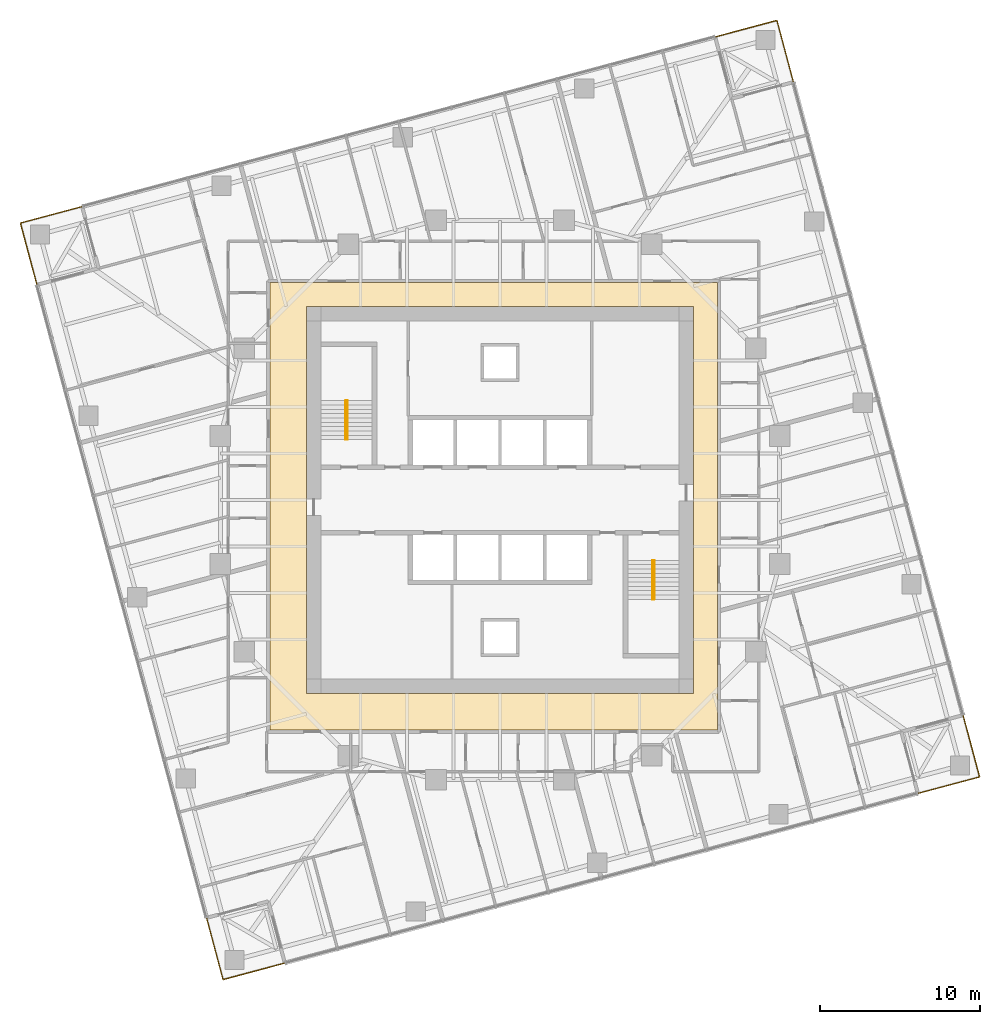
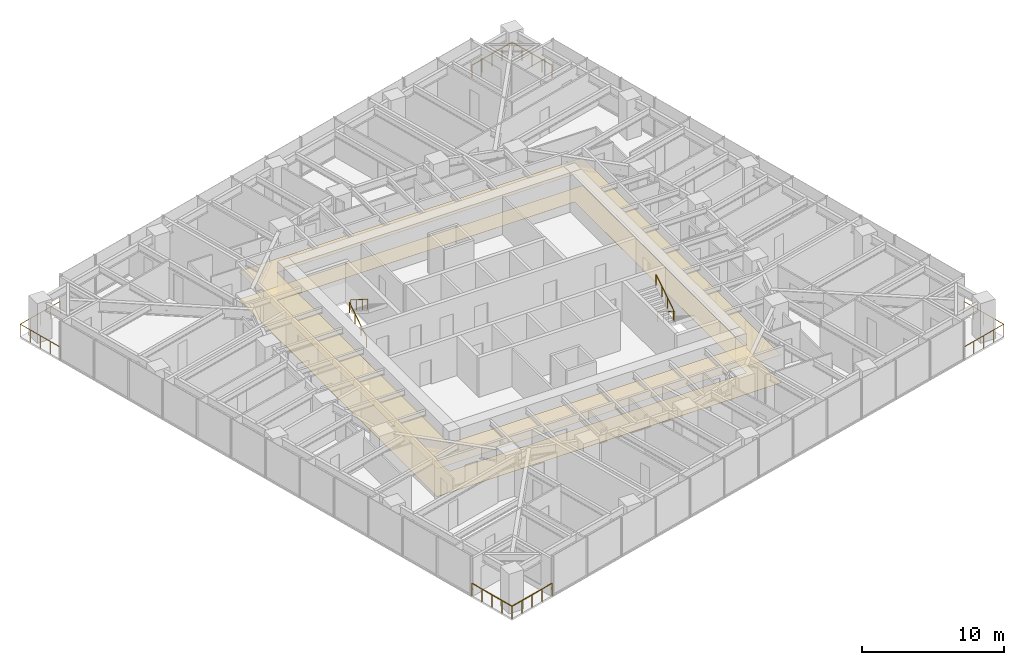
# One storey, part 14 of 14: 8 railings, 2 coverings, 2 elements without a shape of their own.
"""IFC4 building model written with IfcOpenShell, lengths in metres."""

from ifc_helpers import new_model, si_unit, direction, frame, origin, origin_2d, place, context, subcontext, project, spatial, polyline, circle, outline, extrude, material, layer, layer_set, type_object, element, aggregate, save


model = new_model("IFC4")

# Units and contexts
model_context = context("Model", 3, precision=1e-05, world=origin(), true_north=direction((0.0, 1.0)))
body_context = subcontext(model_context, "Body", "Model", "MODEL_VIEW")
ifc_project = project(units=[si_unit("LENGTHUNIT", "METRE"), si_unit("AREAUNIT", "SQUARE_METRE"), si_unit("VOLUMEUNIT", "CUBIC_METRE"), si_unit("PLANEANGLEUNIT", "RADIAN"), si_unit("MASSUNIT", "GRAM", prefix="KILO")], contexts=[model_context])

# Site, building, storey
site_placement = place(None, origin())
site = spatial("IfcSite", under=ifc_project, at=site_placement, CompositionType="ELEMENT")
building_placement = place(site_placement, origin())
building = spatial("IfcBuilding", under=site, at=building_placement, Name="Torsade Residences", CompositionType="ELEMENT")
storey_placement = place(building_placement, frame((0.0, 0.0, 121.800048828125)))
storey = spatial("IfcBuildingStorey", under=building, at=storey_placement, Name="L33", CompositionType="ELEMENT", Elevation=121.800048828125)

# Coverings
ifc_material_1 = material(Name="Nylon carpet tile on underlay", Category="textile")
ifc_layer_1 = layer(ifc_material_1, 0.010009765625)
ifc_layer_set_1 = layer_set([ifc_layer_1], Name="Nylon carpet tile on underlay")
covering_type_1 = type_object("IfcCoveringType", Name="CORRIDOR CARPET TILE 10", PredefinedType="FLOORING", material=ifc_layer_set_1)
covering_1_placement = place(storey_placement, origin())
element("IfcCovering", 1, at=covering_1_placement, inside=storey, type_object=covering_type_1, Name="Corridor carpet L33", PredefinedType="FLOORING", context=body_context, shape_type="SweptSolid", body=[
    extrude(outline(polyline([(53.60009765625, 15.60009765625), (53.60009765625, 43.60009765625), (25.60009765625, 43.60009765625), (25.60009765625, 15.60009765625), (53.60009765625, 15.60009765625)]), holes=[polyline([(52.10009765625, 42.10009765625), (27.89990234375, 42.10009765625), (27.89990234375, 17.89990234375), (52.10009765625, 17.89990234375), (52.10009765625, 42.10009765625)])]), origin(), (0.0, 0.0, 1.0), 0.010009765625),
])
ifc_material_2 = material(Name="Plasterboard on suspended steel grid", Category="steel")
ifc_layer_2 = layer(ifc_material_2, 0.012939453125)
ifc_layer_set_2 = layer_set([ifc_layer_2], Name="Plasterboard on suspended steel grid")
covering_type_2 = type_object("IfcCoveringType", Name="CORRIDOR SUSPENDED CEILING 13", PredefinedType="CEILING", material=ifc_layer_set_2)
covering_2_placement = place(storey_placement, frame((0.0, 0.0, 2.39990234375)))
element("IfcCovering", 2, at=covering_2_placement, inside=storey, type_object=covering_type_2, Name="Corridor ceiling L33", PredefinedType="CEILING", context=body_context, shape_type="SweptSolid", body=[
    extrude(outline(polyline([(53.60009765625, 15.60009765625), (53.60009765625, 43.60009765625), (25.60009765625, 43.60009765625), (25.60009765625, 15.60009765625), (53.60009765625, 15.60009765625)]), holes=[polyline([(52.10009765625, 42.10009765625), (27.89990234375, 42.10009765625), (27.89990234375, 17.89990234375), (52.10009765625, 17.89990234375), (52.10009765625, 42.10009765625)])]), origin(), (0.0, 0.0, 1.0), 0.012939453125),
])

# Stair, railings
ifc_material_3 = material(Name="Precast concrete 40 MPa", Category="concrete")
stair_type = type_object("IfcStairType", Name="HALF-TURN FIRE STAIR 1500x3400", PredefinedType="HALF_TURN_STAIR", material=ifc_material_3)
stair_1_placement = place(storey_placement, origin())
stair_1 = element("IfcStair", 3, at=stair_1_placement, inside=storey, type_object=stair_type, Name="Stair ST1 L33", PredefinedType="HALF_TURN_STAIR")
ifc_material_4 = material(Name="Steel handrail", Category="steel")
railing_type_1 = type_object("IfcRailingType", Name="STAIR HANDRAIL 900", PredefinedType="HANDRAIL", material=ifc_material_4)
railing_1_placement = place(storey_placement, frame((30.35009765625, 33.780029296875, 0.169921875)))
railing_1 = element("IfcRailing", 4, at=railing_1_placement, type_object=railing_type_1, Name="Handrail ST1 flight 1 L33", PredefinedType="HANDRAIL", context=body_context, shape_type="SweptSolid", body=[
    extrude(circle(Radius=0.02392578125, at=origin_2d()), frame((0.0, 0.0, 0.8759765625), z_axis=(0.0, 0.846221481393, 0.532831309544), x_axis=(-1.0, 0.0, 0.0)), (0.0, 0.0, 1.0), 2.87158203125),
    extrude(circle(Radius=0.02099609375, at=origin_2d()), origin(), (0.0, 0.0, 1.0), 0.851806640625),
    extrude(circle(Radius=0.02099609375, at=origin_2d()), frame((0.0, 0.81005859375, 0.510009765625)), (0.0, 0.0, 1.0), 0.851806640625),
    extrude(circle(Radius=0.02099609375, at=origin_2d()), frame((0.0, 1.619873046875, 1.02001953125)), (0.0, 0.0, 1.0), 0.851806640625),
    extrude(circle(Radius=0.02099609375, at=origin_2d()), frame((0.0, 2.429931640625, 1.530029296875)), (0.0, 0.0, 1.0), 0.851806640625),
])
railing_2_placement = place(storey_placement, frame((30.449951171875, 36.2099609375, 1.869873046875)))
railing_2 = element("IfcRailing", 5, at=railing_2_placement, type_object=railing_type_1, Name="Handrail ST1 flight 2 L33", PredefinedType="HANDRAIL", context=body_context, shape_type="SweptSolid", body=[
    extrude(circle(Radius=0.02392578125, at=origin_2d()), frame((0.0, 0.0, 0.8759765625), z_axis=(0.0, -0.846221481393, 0.532831309544), x_axis=(1.0, 0.0, 0.0)), (0.0, 0.0, 1.0), 2.87158203125),
    extrude(circle(Radius=0.02099609375, at=origin_2d()), origin(), (0.0, 0.0, 1.0), 0.851806640625),
    extrude(circle(Radius=0.02099609375, at=origin_2d()), frame((0.0, -0.81005859375, 0.510009765625)), (0.0, 0.0, 1.0), 0.851806640625),
    extrude(circle(Radius=0.02099609375, at=origin_2d()), frame((0.0, -1.619873046875, 1.02001953125)), (0.0, 0.0, 1.0), 0.851806640625),
    extrude(circle(Radius=0.02099609375, at=origin_2d()), frame((0.0, -2.429931640625, 1.530029296875)), (0.0, 0.0, 1.0), 0.851806640625),
])
aggregate(stair_1, [railing_1, railing_2])

stair_2_placement = place(storey_placement, origin())
stair_2 = element("IfcStair", 6, at=stair_2_placement, inside=storey, type_object=stair_type, Name="Stair ST2 L33", PredefinedType="HALF_TURN_STAIR")
railing_3_placement = place(storey_placement, frame((49.64990234375, 26.219970703125, 0.169921875)))
railing_3 = element("IfcRailing", 7, at=railing_3_placement, type_object=railing_type_1, Name="Handrail ST2 flight 1 L33", PredefinedType="HANDRAIL", context=body_context, shape_type="SweptSolid", body=[
    extrude(circle(Radius=0.02392578125, at=origin_2d()), frame((0.0, 0.0, 0.8759765625), z_axis=(0.0, -0.846221481393, 0.532831309544), x_axis=(1.0, 0.0, 0.0)), (0.0, 0.0, 1.0), 2.87158203125),
    extrude(circle(Radius=0.02099609375, at=origin_2d()), origin(), (0.0, 0.0, 1.0), 0.851806640625),
    extrude(circle(Radius=0.02099609375, at=origin_2d()), frame((0.0, -0.81005859375, 0.510009765625)), (0.0, 0.0, 1.0), 0.851806640625),
    extrude(circle(Radius=0.02099609375, at=origin_2d()), frame((0.0, -1.619873046875, 1.02001953125)), (0.0, 0.0, 1.0), 0.851806640625),
    extrude(circle(Radius=0.02099609375, at=origin_2d()), frame((0.0, -2.429931640625, 1.530029296875)), (0.0, 0.0, 1.0), 0.851806640625),
])
railing_4_placement = place(storey_placement, frame((49.550048828125, 23.7900390625, 1.869873046875)))
railing_4 = element("IfcRailing", 8, at=railing_4_placement, type_object=railing_type_1, Name="Handrail ST2 flight 2 L33", PredefinedType="HANDRAIL", context=body_context, shape_type="SweptSolid", body=[
    extrude(circle(Radius=0.02392578125, at=origin_2d()), frame((0.0, 0.0, 0.8759765625), z_axis=(0.0, 0.846221481393, 0.532831309544), x_axis=(-1.0, 0.0, 0.0)), (0.0, 0.0, 1.0), 2.87158203125),
    extrude(circle(Radius=0.02099609375, at=origin_2d()), origin(), (0.0, 0.0, 1.0), 0.851806640625),
    extrude(circle(Radius=0.02099609375, at=origin_2d()), frame((0.0, 0.81005859375, 0.510009765625)), (0.0, 0.0, 1.0), 0.851806640625),
    extrude(circle(Radius=0.02099609375, at=origin_2d()), frame((0.0, 1.619873046875, 1.02001953125)), (0.0, 0.0, 1.0), 0.851806640625),
    extrude(circle(Radius=0.02099609375, at=origin_2d()), frame((0.0, 2.429931640625, 1.530029296875)), (0.0, 0.0, 1.0), 0.851806640625),
])
aggregate(stair_2, [railing_3, railing_4])

# Railings
ifc_material_5 = material(Name="Laminated glass balustrade", Category="glass")
railing_type_2 = type_object("IfcRailingType", Name="TERRACE GLASS BALUSTRADE 1100", PredefinedType="BALUSTRADE", material=ifc_material_5)
railing_5_placement = place(storey_placement, frame((66.142578125, 11.640625, 0.0)))
element("IfcRailing", 9, at=railing_5_placement, inside=storey, type_object=railing_type_2, Name="Terrace balustrade SE L33", PredefinedType="BALUSTRADE", context=body_context, shape_type="SweptSolid", body=[
    extrude(circle(Radius=0.02392578125, at=origin_2d()), frame((0.0, 0.0, 1.076171875), z_axis=(0.965934430412, 0.258786931944, 0.0), x_axis=(-0.258786931944, 0.965934430412, 0.0)), (0.0, 0.0, 1.0), 4.0),
    extrude(circle(Radius=0.02392578125, at=origin_2d()), frame((3.86376953125, 1.03515625, 1.076171875), z_axis=(-0.258843877716, 0.965919172068, 0.0), x_axis=(-0.965919172068, -0.258843877716, 0.0)), (0.0, 0.0, 1.0), 4.0),
    extrude(circle(Radius=0.02099609375, at=origin_2d()), origin(), (0.0, 0.0, 1.0), 1.052001953125),
    extrude(circle(Radius=0.02099609375, at=origin_2d()), frame((0.9658203125, 0.2587890625, 0.0)), (0.0, 0.0, 1.0), 1.052001953125),
    extrude(circle(Radius=0.02099609375, at=origin_2d()), frame((1.931884765625, 0.517578125, 0.0)), (0.0, 0.0, 1.0), 1.052001953125),
    extrude(circle(Radius=0.02099609375, at=origin_2d()), frame((2.89794921875, 0.7763671875, 0.0)), (0.0, 0.0, 1.0), 1.052001953125),
    extrude(circle(Radius=0.02099609375, at=origin_2d()), frame((3.86376953125, 1.03515625, 0.0)), (0.0, 0.0, 1.0), 1.052001953125),
    extrude(circle(Radius=0.02099609375, at=origin_2d()), frame((3.60498046875, 2.0009765625, 0.0)), (0.0, 0.0, 1.0), 1.052001953125),
    extrude(circle(Radius=0.02099609375, at=origin_2d()), frame((3.34619140625, 2.967041015625, 0.0)), (0.0, 0.0, 1.0), 1.052001953125),
    extrude(circle(Radius=0.02099609375, at=origin_2d()), frame((3.087158203125, 3.93310546875, 0.0)), (0.0, 0.0, 1.0), 1.052001953125),
    extrude(circle(Radius=0.02099609375, at=origin_2d()), frame((2.828369140625, 4.89892578125, 0.0)), (0.0, 0.0, 1.0), 1.052001953125),
])
railing_6_placement = place(storey_placement, frame((58.359375, 56.142578125, 0.0)))
element("IfcRailing", 10, at=railing_6_placement, inside=storey, type_object=railing_type_2, Name="Terrace balustrade NE L33", PredefinedType="BALUSTRADE", context=body_context, shape_type="SweptSolid", body=[
    extrude(circle(Radius=0.02392578125, at=origin_2d()), frame((0.0, 0.0, 1.076171875), z_axis=(-0.258786931944, 0.965934430412, 0.0), x_axis=(-0.965934430412, -0.258786931944, 0.0)), (0.0, 0.0, 1.0), 4.0),
    extrude(circle(Radius=0.02392578125, at=origin_2d()), frame((-1.03515625, 3.86376953125, 1.076171875), z_axis=(-0.965919172068, -0.258843877716, 0.0), x_axis=(0.258843877716, -0.965919172068, 0.0)), (0.0, 0.0, 1.0), 4.0),
    extrude(circle(Radius=0.02099609375, at=origin_2d()), origin(), (0.0, 0.0, 1.0), 1.052001953125),
    extrude(circle(Radius=0.02099609375, at=origin_2d()), frame((-0.2587890625, 0.9658203125, 0.0)), (0.0, 0.0, 1.0), 1.052001953125),
    extrude(circle(Radius=0.02099609375, at=origin_2d()), frame((-0.517578125, 1.931884765625, 0.0)), (0.0, 0.0, 1.0), 1.052001953125),
    extrude(circle(Radius=0.02099609375, at=origin_2d()), frame((-0.7763671875, 2.89794921875, 0.0)), (0.0, 0.0, 1.0), 1.052001953125),
    extrude(circle(Radius=0.02099609375, at=origin_2d()), frame((-1.03515625, 3.86376953125, 0.0)), (0.0, 0.0, 1.0), 1.052001953125),
    extrude(circle(Radius=0.02099609375, at=origin_2d()), frame((-2.0009765625, 3.60498046875, 0.0)), (0.0, 0.0, 1.0), 1.052001953125),
    extrude(circle(Radius=0.02099609375, at=origin_2d()), frame((-2.967041015625, 3.34619140625, 0.0)), (0.0, 0.0, 1.0), 1.052001953125),
    extrude(circle(Radius=0.02099609375, at=origin_2d()), frame((-3.93310546875, 3.087158203125, 0.0)), (0.0, 0.0, 1.0), 1.052001953125),
    extrude(circle(Radius=0.02099609375, at=origin_2d()), frame((-4.89892578125, 2.828369140625, 0.0)), (0.0, 0.0, 1.0), 1.052001953125),
])
railing_7_placement = place(storey_placement, frame((13.857421875, 48.359375, 0.0)))
element("IfcRailing", 11, at=railing_7_placement, inside=storey, type_object=railing_type_2, Name="Terrace balustrade NW L33", PredefinedType="BALUSTRADE", context=body_context, shape_type="SweptSolid", body=[
    extrude(circle(Radius=0.02392578125, at=origin_2d()), frame((0.0, 0.0, 1.076171875), z_axis=(-0.965934430412, -0.258786931944, 0.0), x_axis=(0.258786931944, -0.965934430412, 0.0)), (0.0, 0.0, 1.0), 4.0),
    extrude(circle(Radius=0.02392578125, at=origin_2d()), frame((-3.86376953125, -1.03515625, 1.076171875), z_axis=(0.258843877716, -0.965919172068, 0.0), x_axis=(0.965919172068, 0.258843877716, 0.0)), (0.0, 0.0, 1.0), 4.0),
    extrude(circle(Radius=0.02099609375, at=origin_2d()), origin(), (0.0, 0.0, 1.0), 1.052001953125),
    extrude(circle(Radius=0.02099609375, at=origin_2d()), frame((-0.9658203125, -0.2587890625, 0.0)), (0.0, 0.0, 1.0), 1.052001953125),
    extrude(circle(Radius=0.02099609375, at=origin_2d()), frame((-1.931884765625, -0.517578125, 0.0)), (0.0, 0.0, 1.0), 1.052001953125),
    extrude(circle(Radius=0.02099609375, at=origin_2d()), frame((-2.89794921875, -0.7763671875, 0.0)), (0.0, 0.0, 1.0), 1.052001953125),
    extrude(circle(Radius=0.02099609375, at=origin_2d()), frame((-3.86376953125, -1.03515625, 0.0)), (0.0, 0.0, 1.0), 1.052001953125),
    extrude(circle(Radius=0.02099609375, at=origin_2d()), frame((-3.60498046875, -2.0009765625, 0.0)), (0.0, 0.0, 1.0), 1.052001953125),
    extrude(circle(Radius=0.02099609375, at=origin_2d()), frame((-3.34619140625, -2.967041015625, 0.0)), (0.0, 0.0, 1.0), 1.052001953125),
    extrude(circle(Radius=0.02099609375, at=origin_2d()), frame((-3.087158203125, -3.93310546875, 0.0)), (0.0, 0.0, 1.0), 1.052001953125),
    extrude(circle(Radius=0.02099609375, at=origin_2d()), frame((-2.828369140625, -4.89892578125, 0.0)), (0.0, 0.0, 1.0), 1.052001953125),
])
railing_8_placement = place(storey_placement, frame((21.640625, 3.857421875, 0.0)))
element("IfcRailing", 12, at=railing_8_placement, inside=storey, type_object=railing_type_2, Name="Terrace balustrade SW L33", PredefinedType="BALUSTRADE", context=body_context, shape_type="SweptSolid", body=[
    extrude(circle(Radius=0.02392578125, at=origin_2d()), frame((0.0, 0.0, 1.076171875), z_axis=(0.258786931944, -0.965934430412, 0.0), x_axis=(0.965934430412, 0.258786931944, 0.0)), (0.0, 0.0, 1.0), 4.0),
    extrude(circle(Radius=0.02392578125, at=origin_2d()), frame((1.03515625, -3.86376953125, 1.076171875), z_axis=(0.965919172068, 0.258843877716, 0.0), x_axis=(-0.258843877716, 0.965919172068, 0.0)), (0.0, 0.0, 1.0), 4.0),
    extrude(circle(Radius=0.02099609375, at=origin_2d()), origin(), (0.0, 0.0, 1.0), 1.052001953125),
    extrude(circle(Radius=0.02099609375, at=origin_2d()), frame((0.2587890625, -0.9658203125, 0.0)), (0.0, 0.0, 1.0), 1.052001953125),
    extrude(circle(Radius=0.02099609375, at=origin_2d()), frame((0.517578125, -1.931884765625, 0.0)), (0.0, 0.0, 1.0), 1.052001953125),
    extrude(circle(Radius=0.02099609375, at=origin_2d()), frame((0.7763671875, -2.89794921875, 0.0)), (0.0, 0.0, 1.0), 1.052001953125),
    extrude(circle(Radius=0.02099609375, at=origin_2d()), frame((1.03515625, -3.86376953125, 0.0)), (0.0, 0.0, 1.0), 1.052001953125),
    extrude(circle(Radius=0.02099609375, at=origin_2d()), frame((2.0009765625, -3.60498046875, 0.0)), (0.0, 0.0, 1.0), 1.052001953125),
    extrude(circle(Radius=0.02099609375, at=origin_2d()), frame((2.967041015625, -3.34619140625, 0.0)), (0.0, 0.0, 1.0), 1.052001953125),
    extrude(circle(Radius=0.02099609375, at=origin_2d()), frame((3.93310546875, -3.087158203125, 0.0)), (0.0, 0.0, 1.0), 1.052001953125),
    extrude(circle(Radius=0.02099609375, at=origin_2d()), frame((4.89892578125, -2.828369140625, 0.0)), (0.0, 0.0, 1.0), 1.052001953125),
])

save(model, "model.ifc")
